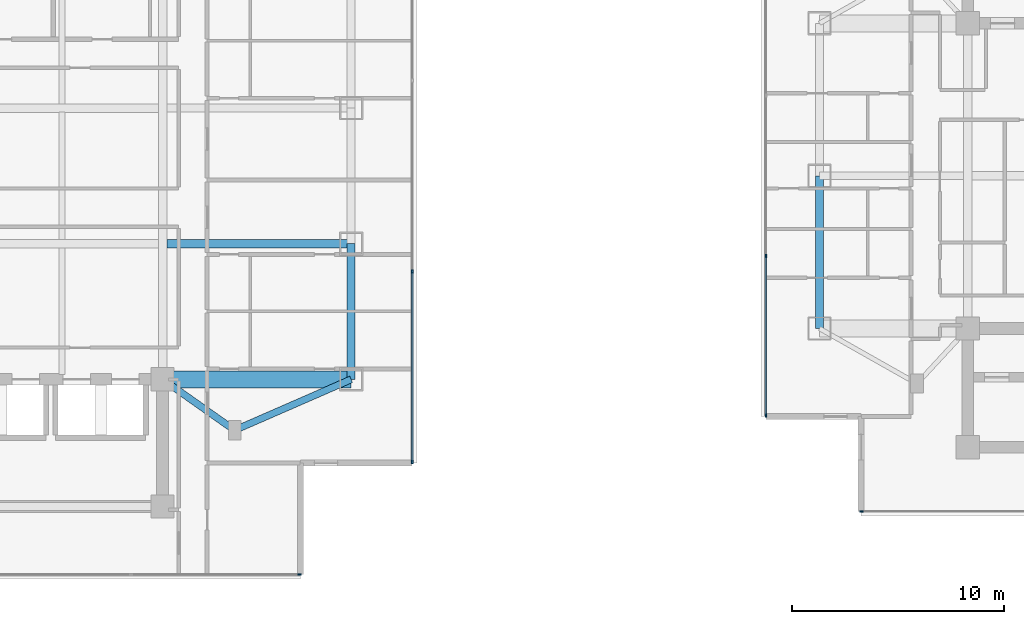
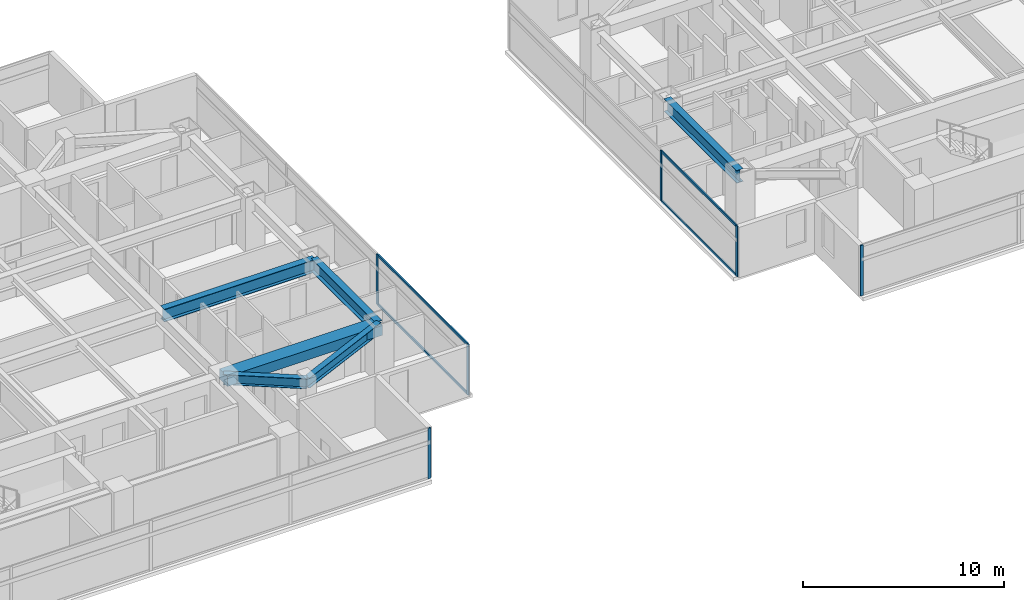
# One storey, part 4 of 24: 10 members, 6 beams, 4 elements without a shape of their own.
"""IFC4 building model written with IfcOpenShell, lengths in metres."""

from ifc_helpers import new_model, si_unit, direction, frame, origin, origin_2d, place, context, subcontext, project, spatial, rectangle, i_section, extrude, material, material_profile, profile_set, type_object, element, aggregate, save


model = new_model("IFC4")

# Units and contexts
model_context = context("Model", 3, precision=1e-05, world=origin(), true_north=direction((0.0, 1.0)))
body_context = subcontext(model_context, "Body", "Model", "MODEL_VIEW")
ifc_project = project(units=[si_unit("LENGTHUNIT", "METRE"), si_unit("AREAUNIT", "SQUARE_METRE"), si_unit("VOLUMEUNIT", "CUBIC_METRE"), si_unit("PLANEANGLEUNIT", "RADIAN"), si_unit("MASSUNIT", "GRAM", prefix="KILO")], contexts=[model_context])

# Site, building, storey
site_placement = place(None, origin())
site = spatial("IfcSite", under=ifc_project, at=site_placement, CompositionType="ELEMENT")
building_placement = place(site_placement, origin())
building = spatial("IfcBuilding", under=site, at=building_placement, Name="Mirazonda Arch Towers", CompositionType="ELEMENT")
storey_placement = place(building_placement, frame((0.0, 0.0, 134.60009765625)))
storey = spatial("IfcBuildingStorey", under=building, at=storey_placement, Name="L38", CompositionType="ELEMENT", Elevation=134.60009765625)

# Beams
ifc_material_1 = material(Name="Steel ASTM A992 Grade 50", Category="steel")
ifc_material_profile_1 = material_profile(ifc_material_1, i_section(OverallWidth=0.381103515625, OverallDepth=0.77294921875, WebThickness=0.0166015625, FlangeThickness=0.027099609375, at=origin_2d()), Name="W30X173")
ifc_profile_set_1 = profile_set([ifc_material_profile_1], Name="Steel ASTM A992 Grade 50")
beam_type_1 = type_object("IfcBeamType", Name="BM-EXT-W30X173", PredefinedType="USERDEFINED", material=ifc_profile_set_1)
beam_1_placement = place(storey_placement, frame((38.89990234375, 18.39990234375, 2.693359375), z_axis=(0.0, 1.0, 0.0), x_axis=(-1.0, 0.0, 0.0)))
element("IfcBeam", 1, at=beam_1_placement, inside=storey, type_object=beam_type_1, Name="L38 Floor Beam BM-T1-L38-NS-E-18", ObjectType="GIRDER", PredefinedType="USERDEFINED", context=body_context, shape_type="SweptSolid", body=[
    extrude(i_section(OverallWidth=0.381103515625, OverallDepth=0.77294921875, WebThickness=0.0166015625, FlangeThickness=0.027099609375, at=origin_2d()), origin(), (0.0, 0.0, 1.0), 6.400146484375),
])
beam_2_placement = place(storey_placement, frame((61.0, 20.800048828125, 2.693359375), z_axis=(0.0, 1.0, 0.0), x_axis=(-1.0, 0.0, 0.0)))
element("IfcBeam", 2, at=beam_2_placement, inside=storey, type_object=beam_type_1, Name="L38 Floor Beam BM-T2-L38-NS-W-20", ObjectType="GIRDER", PredefinedType="USERDEFINED", context=body_context, shape_type="SweptSolid", body=[
    extrude(i_section(OverallWidth=0.381103515625, OverallDepth=0.77294921875, WebThickness=0.0166015625, FlangeThickness=0.027099609375, at=origin_2d()), origin(), (0.0, 0.0, 1.0), 7.199951171875),
])
ifc_material_profile_2 = material_profile(ifc_material_1, i_section(OverallWidth=0.324951171875, OverallDepth=0.615966796875, WebThickness=0.013916015625, FlangeThickness=0.021484375, at=origin_2d()), Name="W24X117")
ifc_profile_set_2 = profile_set([ifc_material_profile_2], Name="Steel ASTM A992 Grade 50")
beam_type_2 = type_object("IfcBeamType", Name="BM-INT-W24X117", PredefinedType="BEAM", material=ifc_profile_set_2)
beam_3_placement = place(storey_placement, frame((33.39990234375, 16.0, 2.77197265625), z_axis=(-0.816971114901, 0.576678591087, 0.0), x_axis=(-0.576678591087, -0.816971114901, 0.0)))
element("IfcBeam", 3, at=beam_3_placement, inside=storey, type_object=beam_type_2, Name="L38 Floor Beam BM-T1-L38-PL-SE1", PredefinedType="BEAM", context=body_context, shape_type="SweptSolid", body=[
    extrude(i_section(OverallWidth=0.324951171875, OverallDepth=0.615966796875, WebThickness=0.013916015625, FlangeThickness=0.021484375, at=origin_2d()), origin(), (0.0, 0.0, 1.0), 4.16162109375),
])
beam_4_placement = place(storey_placement, frame((33.39990234375, 16.0, 2.77197265625), z_axis=(0.916545343703, 0.399930785183, 0.0), x_axis=(-0.399930785183, 0.916545343703, 0.0)))
element("IfcBeam", 4, at=beam_4_placement, inside=storey, type_object=beam_type_2, Name="L38 Floor Beam BM-T1-L38-PL-SE2", PredefinedType="BEAM", context=body_context, shape_type="SweptSolid", body=[
    extrude(i_section(OverallWidth=0.324951171875, OverallDepth=0.615966796875, WebThickness=0.013916015625, FlangeThickness=0.021484375, at=origin_2d()), origin(), (0.0, 0.0, 1.0), 6.000732421875),
])
ifc_material_profile_3 = material_profile(ifc_material_1, i_section(OverallWidth=0.381103515625, OverallDepth=0.77294921875, WebThickness=0.0166015625, FlangeThickness=0.027099609375, at=origin_2d()), Name="W30X173")
ifc_profile_set_3 = profile_set([ifc_material_profile_3], Name="Steel ASTM A992 Grade 50")
beam_type_3 = type_object("IfcBeamType", Name="BM-INT-W30X173", PredefinedType="USERDEFINED", material=ifc_profile_set_3)
beam_5_placement = place(storey_placement, frame((30.199951171875, 24.800048828125, 2.693359375), z_axis=(1.0, 0.0, 0.0), x_axis=(0.0, 1.0, 0.0)))
element("IfcBeam", 5, at=beam_5_placement, inside=storey, type_object=beam_type_3, Name="L38 Floor Beam BM-T1-L38-GE2", ObjectType="GIRDER", PredefinedType="USERDEFINED", context=body_context, shape_type="SweptSolid", body=[
    extrude(i_section(OverallWidth=0.381103515625, OverallDepth=0.77294921875, WebThickness=0.0166015625, FlangeThickness=0.027099609375, at=origin_2d()), origin(), (0.0, 0.0, 1.0), 8.699951171875),
])
ifc_material_2 = material(Name="Concrete C60/75", Category="concrete")
ifc_material_profile_4 = material_profile(ifc_material_2, rectangle(XDim=0.800048828125, YDim=0.60009765625, at=origin_2d()), Name="RCCB800x600")
ifc_profile_set_4 = profile_set([ifc_material_profile_4], Name="Concrete C60/75")
beam_type_4 = type_object("IfcBeamType", Name="CB-INT-RCCB800x600", PredefinedType="SPANDREL", material=ifc_profile_set_4)
beam_6_placement = place(storey_placement, frame((30.0, 18.39990234375, 2.77978515625), z_axis=(1.0, 0.0, 0.0), x_axis=(0.0, 1.0, 0.0)))
element("IfcBeam", 6, at=beam_6_placement, inside=storey, type_object=beam_type_4, Name="L38 Floor Beam CBC-T1-L38-SE", PredefinedType="SPANDREL", context=body_context, shape_type="SweptSolid", body=[
    extrude(rectangle(XDim=0.800048828125, YDim=0.60009765625, at=origin_2d()), origin(), (0.0, 0.0, 1.0), 8.89990234375),
])

# Curtain wall, member
ifc_material_3 = material(Name="Anodised Aluminium and Low-E Glass", Category="aluminium")
curtain_wall_type = type_object("IfcCurtainWallType", Name="CW-HTL-UNIT", PredefinedType="NOTDEFINED", material=ifc_material_3)
curtain_wall_1_placement = place(storey_placement, origin())
curtain_wall_1 = element("IfcCurtainWall", 7, at=curtain_wall_1_placement, inside=storey, type_object=curtain_wall_type, Name="L38 T1 S Facade CW-L38-T1-S", PredefinedType="NOTDEFINED")
ifc_material_4 = material(Name="Anodised Aluminium Alloy", Category="aluminium")
ifc_material_profile_5 = material_profile(ifc_material_4, rectangle(XDim=0.074951171875, YDim=0.1650390625, at=origin_2d()), Name="ALU-MULL-75x165")
ifc_profile_set_5 = profile_set([ifc_material_profile_5], Name="Anodised Aluminium Alloy")
member_type_1 = type_object("IfcMemberType", Name="MULL-CW-HTL-UNIT", PredefinedType="MULLION", material=ifc_profile_set_5)
member_1_placement = place(storey_placement, frame((36.472412109375, 9.18994140625, 0.0), z_axis=(0.0, 0.0, 1.0), x_axis=(0.0, -1.0, 0.0)))
member_1 = element("IfcMember", 8, at=member_1_placement, type_object=member_type_1, Name="CW-112 mullion 1", PredefinedType="MULLION", context=body_context, shape_type="SweptSolid", body=[
    extrude(rectangle(XDim=0.074951171875, YDim=0.1650390625, at=origin_2d()), origin(), (0.0, 0.0, 1.0), 3.059814453125),
])
aggregate(curtain_wall_1, [member_1])

# Curtain wall, members
curtain_wall_2_placement = place(storey_placement, origin())
curtain_wall_2 = element("IfcCurtainWall", 9, at=curtain_wall_2_placement, inside=storey, type_object=curtain_wall_type, Name="L38 T1 E Facade CW-L38-T1-E", PredefinedType="NOTDEFINED")
member_2_placement = place(storey_placement, frame((41.780029296875, 14.49755859375, 0.0), z_axis=(0.0, 0.0, 1.0), x_axis=(-1.0, 0.0, 0.0)))
member_2 = element("IfcMember", 10, at=member_2_placement, type_object=member_type_1, Name="CW-112 mullion 1", PredefinedType="MULLION", context=body_context, shape_type="SweptSolid", body=[
    extrude(rectangle(XDim=0.074951171875, YDim=0.1650390625, at=origin_2d()), origin(), (0.0, 0.0, 1.0), 3.059814453125),
])
member_3_placement = place(storey_placement, frame((41.780029296875, 23.486572265625, 0.0), z_axis=(0.0, 0.0, 1.0), x_axis=(-1.0, 0.0, 0.0)))
member_3 = element("IfcMember", 11, at=member_3_placement, type_object=member_type_1, Name="CW-112 mullion 2", PredefinedType="MULLION", context=body_context, shape_type="SweptSolid", body=[
    extrude(rectangle(XDim=0.074951171875, YDim=0.1650390625, at=origin_2d()), origin(), (0.0, 0.0, 1.0), 3.059814453125),
])

# Curtain wall, member
curtain_wall_3_placement = place(storey_placement, origin())
curtain_wall_3 = element("IfcCurtainWall", 12, at=curtain_wall_3_placement, inside=storey, type_object=curtain_wall_type, Name="L38 T2 S Facade CW-L38-T2-S", PredefinedType="NOTDEFINED")
member_4_placement = place(storey_placement, frame((62.989013671875, 12.16455078125, 0.0), z_axis=(0.0, 0.0, 1.0), x_axis=(0.0, -1.0, 0.0)))
member_4 = element("IfcMember", 13, at=member_4_placement, type_object=member_type_1, Name="CW-112 mullion 4", PredefinedType="MULLION", context=body_context, shape_type="SweptSolid", body=[
    extrude(rectangle(XDim=0.074951171875, YDim=0.1650390625, at=origin_2d()), origin(), (0.0, 0.0, 1.0), 3.059814453125),
])
aggregate(curtain_wall_3, [member_4])

# Curtain wall, members
curtain_wall_4_placement = place(storey_placement, origin())
curtain_wall_4 = element("IfcCurtainWall", 14, at=curtain_wall_4_placement, inside=storey, type_object=curtain_wall_type, Name="L38 T2 W Facade CW-L38-T2-W", PredefinedType="NOTDEFINED")
member_5_placement = place(storey_placement, frame((58.465087890625, 24.217041015625, 0.0), z_axis=(0.0, 0.0, 1.0), x_axis=(1.0, 0.0, 0.0)))
member_5 = element("IfcMember", 15, at=member_5_placement, type_object=member_type_1, Name="CW-112 mullion 3", PredefinedType="MULLION", context=body_context, shape_type="SweptSolid", body=[
    extrude(rectangle(XDim=0.074951171875, YDim=0.1650390625, at=origin_2d()), origin(), (0.0, 0.0, 1.0), 3.059814453125),
])
member_6_placement = place(storey_placement, frame((58.465087890625, 16.6884765625, 0.0), z_axis=(0.0, 0.0, 1.0), x_axis=(1.0, 0.0, 0.0)))
member_6 = element("IfcMember", 16, at=member_6_placement, type_object=member_type_1, Name="CW-112 mullion 4", PredefinedType="MULLION", context=body_context, shape_type="SweptSolid", body=[
    extrude(rectangle(XDim=0.074951171875, YDim=0.1650390625, at=origin_2d()), origin(), (0.0, 0.0, 1.0), 3.059814453125),
])

# Member
ifc_material_profile_6 = material_profile(ifc_material_4, rectangle(XDim=0.074951171875, YDim=0.14501953125, at=origin_2d()), Name="ALU-TRAN-75x145")
ifc_profile_set_6 = profile_set([ifc_material_profile_6], Name="Anodised Aluminium Alloy")
member_type_2 = type_object("IfcMemberType", Name="TRAN-CW-HTL-UNIT", PredefinedType="USERDEFINED", material=ifc_profile_set_6)
member_7_placement = place(storey_placement, frame((41.780029296875, 14.534912109375, 0.037353515625), z_axis=(0.0, 1.0, 0.0), x_axis=(-1.0, 0.0, 0.0)))
member_7 = element("IfcMember", 17, at=member_7_placement, type_object=member_type_2, Name="CW-112 transom 1.1", ObjectType="TRANSOM", PredefinedType="USERDEFINED", context=body_context, shape_type="SweptSolid", body=[
    extrude(rectangle(XDim=0.074951171875, YDim=0.14501953125, at=origin_2d()), origin(), (0.0, 0.0, 1.0), 8.914306640625),
])

member_8_placement = place(storey_placement, frame((41.780029296875, 14.534912109375, 3.0224609375), z_axis=(0.0, 1.0, 0.0), x_axis=(-1.0, 0.0, 0.0)))
member_8 = element("IfcMember", 18, at=member_8_placement, type_object=member_type_2, Name="CW-112 transom 1.2", ObjectType="TRANSOM", PredefinedType="USERDEFINED", context=body_context, shape_type="SweptSolid", body=[
    extrude(rectangle(XDim=0.074951171875, YDim=0.14501953125, at=origin_2d()), origin(), (0.0, 0.0, 1.0), 8.914306640625),
])

aggregate(curtain_wall_2, [member_2, member_3, member_7, member_8])

member_9_placement = place(storey_placement, frame((58.465087890625, 24.179443359375, 0.037353515625), z_axis=(0.0, -1.0, 0.0), x_axis=(1.0, 0.0, 0.0)))
member_9 = element("IfcMember", 19, at=member_9_placement, type_object=member_type_2, Name="CW-112 transom 3.1", ObjectType="TRANSOM", PredefinedType="USERDEFINED", context=body_context, shape_type="SweptSolid", body=[
    extrude(rectangle(XDim=0.074951171875, YDim=0.14501953125, at=origin_2d()), origin(), (0.0, 0.0, 1.0), 7.453369140625),
])

member_10_placement = place(storey_placement, frame((58.465087890625, 24.179443359375, 3.0224609375), z_axis=(0.0, -1.0, 0.0), x_axis=(1.0, 0.0, 0.0)))
member_10 = element("IfcMember", 20, at=member_10_placement, type_object=member_type_2, Name="CW-112 transom 3.2", ObjectType="TRANSOM", PredefinedType="USERDEFINED", context=body_context, shape_type="SweptSolid", body=[
    extrude(rectangle(XDim=0.074951171875, YDim=0.14501953125, at=origin_2d()), origin(), (0.0, 0.0, 1.0), 7.453369140625),
])

aggregate(curtain_wall_4, [member_5, member_6, member_9, member_10])

save(model, "model.ifc")
